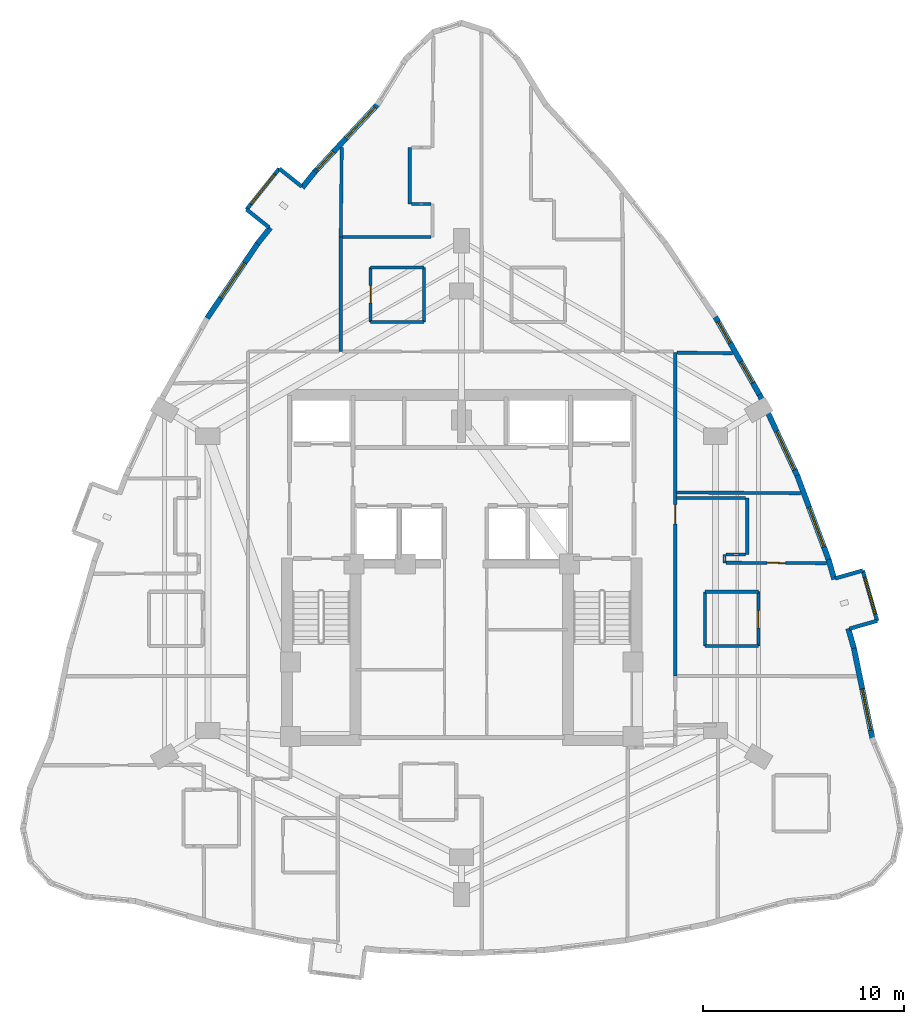
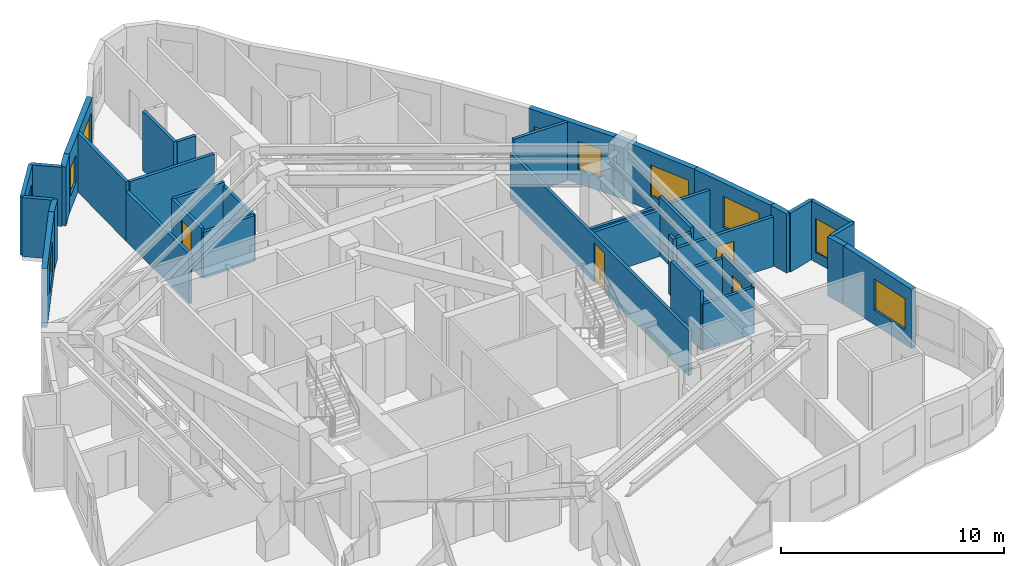
# One storey, part 12 of 14: 37 walls, 10 windows, 4 doors, 14 openings.
"""IFC4 building model written with IfcOpenShell, lengths in metres."""

from ifc_helpers import new_model, si_unit, direction, frame, frame_2d, origin, place, context, subcontext, project, spatial, rectangle, extrude, material, layer, layer_set, type_object, element, fill, save


model = new_model("IFC4")

# Units and contexts
model_context = context("Model", 3, precision=1e-05, world=origin(), true_north=direction((0.0, 1.0)))
body_context = subcontext(model_context, "Body", "Model", "MODEL_VIEW")
ifc_project = project(units=[si_unit("LENGTHUNIT", "METRE"), si_unit("AREAUNIT", "SQUARE_METRE"), si_unit("VOLUMEUNIT", "CUBIC_METRE"), si_unit("PLANEANGLEUNIT", "RADIAN"), si_unit("MASSUNIT", "GRAM", prefix="KILO")], contexts=[model_context])

# Site, building, storey
site_placement = place(None, origin())
site = spatial("IfcSite", under=ifc_project, at=site_placement, CompositionType="ELEMENT")
building_placement = place(site_placement, origin())
building = spatial("IfcBuilding", under=site, at=building_placement, Name="Miruveldt Soraemaru", CompositionType="ELEMENT")
storey_placement = place(building_placement, frame((0.0, 0.0, 128.39990234375)))
storey = spatial("IfcBuildingStorey", under=building, at=storey_placement, Name="L35", CompositionType="ELEMENT", Elevation=128.39990234375)

# Walls
ifc_material_1 = material(Name="White powder-coated aluminium EN AW-6060 T6", Category="aluminium")
ifc_layer_1 = layer(ifc_material_1, 0.18994140625, Name="White powder-coated aluminium EN AW-6060 T6", Category="aluminium")
ifc_layer_set_1 = layer_set([ifc_layer_1], Name="White powder-coated aluminium EN AW-6060 T6")
wall_type_1 = type_object("IfcWallType", Name="WALL-BAY-ALU190", PredefinedType="SOLIDWALL", material=ifc_layer_set_1)
for number, where, z_axis, x_axis, name in (
    (1, (36.060791015625, 62.7958984375, 0.0), (0.0, 0.0, 1.0), (-0.781737193764, 0.623608017817, 0.0), "L35 Bay Window Side Cheek 1L"),
    (2, (33.325439453125, 61.652099609375, 0.0), (0.0, 0.0, 1.0), (0.781737193764, -0.623608017817, 0.0), "L35 Bay Window Side Cheek 1R"),
):
    element("IfcWall", number, at=place(storey_placement, frame(where, z_axis=z_axis, x_axis=x_axis)), inside=storey, type_object=wall_type_1, Name=name, PredefinedType="SOLIDWALL", context=body_context, shape_type="SweptSolid", body=[
        extrude(rectangle(XDim=1.425048828125, YDim=0.18994140625, at=frame_2d((0.71240234375, 0.0))), origin(), (0.0, 0.0, 1.0), 3.235107421875),
    ])

# Wall, opening, window
wall_1_placement = place(storey_placement, frame((34.94677734375, 63.6845703125, 0.0), z_axis=(0.0, 0.0, 1.0), x_axis=(-0.623606546405, -0.781738367538, 0.0)))
wall_1 = element("IfcWall", 3, at=wall_1_placement, inside=storey, type_object=wall_type_1, Name="L35 Bay Window Front Frame 1", PredefinedType="SOLIDWALL", context=body_context, shape_type="SweptSolid", body=[
    extrude(rectangle(XDim=2.599853515625, YDim=0.18994140625, at=frame_2d((1.2998046875, 0.0))), origin(), (0.0, 0.0, 1.0), 3.235107421875),
])
opening_1_placement = place(wall_1_placement, frame((0.35009765625, 0.0, 0.550048828125)))
opening_1 = element("IfcOpeningElement", 4, at=opening_1_placement, cuts=wall_1, Name="Opening WN-6", PredefinedType="OPENING", context=body_context, shape_type="SweptSolid", body=[
    extrude(rectangle(XDim=1.89990234375, YDim=1.85009765625, at=frame_2d((0.949951171875, 0.925048828125))), frame((0.0, 0.10498046875, 0.0), z_axis=(0.0, -1.0, 0.0), x_axis=(1.0, 0.0, 0.0)), (0.0, 0.0, 1.0), 0.2099609375),
])
ifc_material_2 = material(Name="Triple low-e insulated glazing", Category="glass")
window_type_1 = type_object("IfcWindowType", Name="WIN-BAYW-1900x1850", PartitioningType="SINGLE_PANEL", PredefinedType="WINDOW", material=ifc_material_2)
window_1_placement = place(opening_1_placement, origin())
window_1 = element("IfcWindow", 5, at=window_1_placement, inside=storey, type_object=window_type_1, Name="L35 Projecting Bay Window 1", OverallHeight=1.85009765625, OverallWidth=1.89990234375, PartitioningType="SINGLE_PANEL", PredefinedType="WINDOW", context=body_context, shape_type="SweptSolid", body=[
    extrude(rectangle(XDim=1.89990234375, YDim=1.85009765625, at=frame_2d((0.949951171875, 0.925048828125))), frame((0.0, 0.030029296875, 0.0), z_axis=(0.0, -1.0, 0.0), x_axis=(1.0, 0.0, 0.0)), (0.0, 0.0, 1.0), 0.06005859375),
])
fill(opening_1, window_1)

# Walls
for number, where, z_axis, x_axis, name in (
    (6, (63.25537109375, 40.84375, 0.0), (0.0, 0.0, 1.0), (0.961452801096, 0.274970018845, 0.0), "L35 Bay Window Side Cheek 4L"),
    (7, (63.910400390625, 43.7353515625, 0.0), (0.0, 0.0, 1.0), (-0.961452801096, -0.274970018845, 0.0), "L35 Bay Window Side Cheek 4R"),
):
    element("IfcWall", number, at=place(storey_placement, frame(where, z_axis=z_axis, x_axis=x_axis)), inside=storey, type_object=wall_type_1, Name=name, PredefinedType="SOLIDWALL", context=body_context, shape_type="SweptSolid", body=[
        extrude(rectangle(XDim=1.425048828125, YDim=0.18994140625, at=frame_2d((0.71240234375, 0.0))), origin(), (0.0, 0.0, 1.0), 3.235107421875),
    ])

# Wall, opening, window
wall_2_placement = place(storey_placement, frame((64.62548828125, 41.235595703125, 0.0), z_axis=(0.0, 0.0, 1.0), x_axis=(-0.275031158597, 0.961435313373, 0.0)))
wall_2 = element("IfcWall", 8, at=wall_2_placement, inside=storey, type_object=wall_type_1, Name="L35 Bay Window Front Frame 4", PredefinedType="SOLIDWALL", context=body_context, shape_type="SweptSolid", body=[
    extrude(rectangle(XDim=2.60009765625, YDim=0.18994140625, at=frame_2d((1.300048828125, 0.0))), origin(), (0.0, 0.0, 1.0), 3.235107421875),
])
opening_2_placement = place(wall_2_placement, frame((0.35009765625, 0.0, 0.550048828125)))
opening_2 = element("IfcOpeningElement", 9, at=opening_2_placement, cuts=wall_2, Name="Opening WN-6", PredefinedType="OPENING", context=body_context, shape_type="SweptSolid", body=[
    extrude(rectangle(XDim=1.89990234375, YDim=1.85009765625, at=frame_2d((0.949951171875, 0.925048828125))), frame((0.0, 0.10498046875, 0.0), z_axis=(0.0, -1.0, 0.0), x_axis=(1.0, 0.0, 0.0)), (0.0, 0.0, 1.0), 0.2099609375),
])
window_2_placement = place(opening_2_placement, origin())
window_2 = element("IfcWindow", 10, at=window_2_placement, inside=storey, type_object=window_type_1, Name="L35 Projecting Bay Window 4", OverallHeight=1.85009765625, OverallWidth=1.89990234375, PartitioningType="SINGLE_PANEL", PredefinedType="WINDOW", context=body_context, shape_type="SweptSolid", body=[
    extrude(rectangle(XDim=1.89990234375, YDim=1.85009765625, at=frame_2d((0.949951171875, 0.925048828125))), frame((0.0, 0.030029296875, 0.0), z_axis=(0.0, -1.0, 0.0), x_axis=(1.0, 0.0, 0.0)), (0.0, 0.0, 1.0), 0.06005859375),
])
fill(opening_2, window_2)

# Wall, openings, windows
ifc_material_3 = material(Name="Precast concrete C45/55 (45 MPa)", Category="concrete")
ifc_layer_2 = layer(ifc_material_3, 0.27001953125, Name="Precast concrete C45/55 (45 MPa)", Category="concrete")
ifc_layer_set_2 = layer_set([ifc_layer_2], Name="Precast concrete C45/55 (45 MPa)")
wall_type_2 = type_object("IfcWallType", Name="WALL-EXT-PC270", PredefinedType="SOLIDWALL", material=ifc_layer_set_2)
wall_3_placement = place(storey_placement, frame((39.85302734375, 66.900390625, 0.0), z_axis=(0.0, 0.0, 1.0), x_axis=(-0.680890565033, -0.732385170828, 0.0)))
wall_3 = element("IfcWall", 11, at=wall_3_placement, inside=storey, type_object=wall_type_2, Name="L35 Precast Concrete Facade Wall 7", PredefinedType="SOLIDWALL", context=body_context, shape_type="SweptSolid", body=[
    extrude(rectangle(XDim=4.665283203125, YDim=0.27001953125, at=frame_2d((2.33251953125, 0.0))), origin(), (0.0, 0.0, 1.0), 3.235107421875),
])
opening_3_placement = place(wall_3_placement, frame((0.23388671875, 0.0, 0.800048828125)))
opening_3 = element("IfcOpeningElement", 12, at=opening_3_placement, cuts=wall_3, Name="Opening WN-1", PredefinedType="OPENING", context=body_context, shape_type="SweptSolid", body=[
    extrude(rectangle(XDim=2.10009765625, YDim=1.699951171875, at=frame_2d((1.050048828125, 0.85009765625))), frame((0.0, 0.14501953125, 0.0), z_axis=(0.0, -1.0, 0.0), x_axis=(1.0, 0.0, 0.0)), (0.0, 0.0, 1.0), 0.2900390625),
])
opening_4_placement = place(wall_3_placement, frame((3.257080078125, 0.0, 0.780029296875)))
opening_4 = element("IfcOpeningElement", 13, at=opening_4_placement, cuts=wall_3, Name="Opening WN-4", PredefinedType="OPENING", context=body_context, shape_type="SweptSolid", body=[
    extrude(rectangle(XDim=1.199951171875, YDim=1.550048828125, at=frame_2d((0.60009765625, 0.77490234375))), frame((0.0, 0.14501953125, 0.0), z_axis=(0.0, -1.0, 0.0), x_axis=(1.0, 0.0, 0.0)), (0.0, 0.0, 1.0), 0.2900390625),
])
window_type_2 = type_object("IfcWindowType", Name="WIN-PUNCH-1200x1550", PartitioningType="SINGLE_PANEL", PredefinedType="WINDOW", material=ifc_material_2)
window_3_placement = place(opening_4_placement, origin())
window_3 = element("IfcWindow", 14, at=window_3_placement, inside=storey, type_object=window_type_2, Name="L35 Punched Triple-Glazed Window 07.2", OverallHeight=1.550048828125, OverallWidth=1.199951171875, PartitioningType="SINGLE_PANEL", PredefinedType="WINDOW", context=body_context, shape_type="SweptSolid", body=[
    extrude(rectangle(XDim=1.199951171875, YDim=1.550048828125, at=frame_2d((0.60009765625, 0.77490234375))), frame((0.0, 0.030029296875, 0.0), z_axis=(0.0, -1.0, 0.0), x_axis=(1.0, 0.0, 0.0)), (0.0, 0.0, 1.0), 0.06005859375),
])
fill(opening_4, window_3)
window_type_3 = type_object("IfcWindowType", Name="WIN-PUNCH-2100x1700", PartitioningType="SINGLE_PANEL", PredefinedType="WINDOW", material=ifc_material_2)
window_4_placement = place(opening_3_placement, origin())
window_4 = element("IfcWindow", 15, at=window_4_placement, inside=storey, type_object=window_type_3, Name="L35 Punched Triple-Glazed Window 07.1", OverallHeight=1.699951171875, OverallWidth=2.10009765625, PartitioningType="SINGLE_PANEL", PredefinedType="WINDOW", context=body_context, shape_type="SweptSolid", body=[
    extrude(rectangle(XDim=2.10009765625, YDim=1.699951171875, at=frame_2d((1.050048828125, 0.85009765625))), frame((0.0, 0.030029296875, 0.0), z_axis=(0.0, -1.0, 0.0), x_axis=(1.0, 0.0, 0.0)), (0.0, 0.0, 1.0), 0.06005859375),
])
fill(opening_3, window_4)

# Walls
for number, where, z_axis, x_axis, name in (
    (16, (36.72216796875, 63.53662109375, 0.0), (0.0, 0.0, 1.0), (-0.623557666191, -0.78177735765, 0.0), "L35 Precast Pier Wall 8A"),
    (17, (34.501220703125, 60.752685546875, 0.0), (0.0, 0.0, 1.0), (-0.623557666191, -0.78177735765, 0.0), "L35 Precast Pier Wall 8B"),
):
    element("IfcWall", number, at=place(storey_placement, frame(where, z_axis=z_axis, x_axis=x_axis)), inside=storey, type_object=wall_type_2, Name=name, PredefinedType="SOLIDWALL", context=body_context, shape_type="SweptSolid", body=[
        extrude(rectangle(XDim=1.021484375, YDim=0.27001953125, at=frame_2d((0.5107421875, 0.0))), origin(), (0.0, 0.0, 1.0), 3.235107421875),
    ])

# Wall, opening, window
wall_4_placement = place(storey_placement, frame((33.905517578125, 60.010498046875, 0.0), z_axis=(0.0, 0.0, 1.0), x_axis=(-0.560820718135, -0.82793726943, 0.0)))
wall_4 = element("IfcWall", 18, at=wall_4_placement, inside=storey, type_object=wall_type_2, Name="L35 Precast Concrete Facade Wall 9", PredefinedType="SOLIDWALL", context=body_context, shape_type="SweptSolid", body=[
    extrude(rectangle(XDim=4.52685546875, YDim=0.27001953125, at=frame_2d((2.263427734375, 0.0))), origin(), (0.0, 0.0, 1.0), 3.235107421875),
])
opening_5_placement = place(wall_4_placement, frame((1.214111328125, 0.0, 0.800048828125)))
opening_5 = element("IfcOpeningElement", 19, at=opening_5_placement, cuts=wall_4, Name="Opening WN-1", PredefinedType="OPENING", context=body_context, shape_type="SweptSolid", body=[
    extrude(rectangle(XDim=2.10009765625, YDim=1.699951171875, at=frame_2d((1.050048828125, 0.85009765625))), frame((0.0, 0.14501953125, 0.0), z_axis=(0.0, -1.0, 0.0), x_axis=(1.0, 0.0, 0.0)), (0.0, 0.0, 1.0), 0.2900390625),
])
window_5_placement = place(opening_5_placement, origin())
window_5 = element("IfcWindow", 20, at=window_5_placement, inside=storey, type_object=window_type_3, Name="L35 Punched Triple-Glazed Window 09.1", OverallHeight=1.699951171875, OverallWidth=2.10009765625, PartitioningType="SINGLE_PANEL", PredefinedType="WINDOW", context=body_context, shape_type="SweptSolid", body=[
    extrude(rectangle(XDim=2.10009765625, YDim=1.699951171875, at=frame_2d((1.050048828125, 0.85009765625))), frame((0.0, 0.030029296875, 0.0), z_axis=(0.0, -1.0, 0.0), x_axis=(1.0, 0.0, 0.0)), (0.0, 0.0, 1.0), 0.06005859375),
])
fill(opening_5, window_5)

wall_5_placement = place(storey_placement, frame((64.398681640625, 35.37353515625, 0.0), z_axis=(0.0, 0.0, 1.0), x_axis=(-0.201567284441, 0.979474670343, 0.0)))
wall_5 = element("IfcWall", 21, at=wall_5_placement, inside=storey, type_object=wall_type_2, Name="L35 Precast Concrete Facade Wall 35", PredefinedType="SOLIDWALL", context=body_context, shape_type="SweptSolid", body=[
    extrude(rectangle(XDim=4.66552734375, YDim=0.27001953125, at=frame_2d((2.332763671875, 0.0))), origin(), (0.0, 0.0, 1.0), 3.235107421875),
])
opening_6_placement = place(wall_5_placement, frame((0.43505859375, 0.0, 0.800048828125)))
opening_6 = element("IfcOpeningElement", 22, at=opening_6_placement, cuts=wall_5, Name="Opening WN-1", PredefinedType="OPENING", context=body_context, shape_type="SweptSolid", body=[
    extrude(rectangle(XDim=2.10009765625, YDim=1.699951171875, at=frame_2d((1.050048828125, 0.85009765625))), frame((0.0, 0.14501953125, 0.0), z_axis=(0.0, -1.0, 0.0), x_axis=(1.0, 0.0, 0.0)), (0.0, 0.0, 1.0), 0.2900390625),
])
window_6_placement = place(opening_6_placement, origin())
window_6 = element("IfcWindow", 23, at=window_6_placement, inside=storey, type_object=window_type_3, Name="L35 Punched Triple-Glazed Window 35.1", OverallHeight=1.699951171875, OverallWidth=2.10009765625, PartitioningType="SINGLE_PANEL", PredefinedType="WINDOW", context=body_context, shape_type="SweptSolid", body=[
    extrude(rectangle(XDim=2.10009765625, YDim=1.699951171875, at=frame_2d((1.050048828125, 0.85009765625))), frame((0.0, 0.030029296875, 0.0), z_axis=(0.0, -1.0, 0.0), x_axis=(1.0, 0.0, 0.0)), (0.0, 0.0, 1.0), 0.06005859375),
])
fill(opening_6, window_6)

# Walls
wall_6_placement = place(storey_placement, frame((63.47509765625, 39.875244140625, 0.0), z_axis=(0.0, 0.0, 1.0), x_axis=(-0.275068310287, 0.961424684869, 0.0)))
element("IfcWall", 24, at=wall_6_placement, inside=storey, type_object=wall_type_2, Name="L35 Precast Pier Wall 36A", PredefinedType="SOLIDWALL", context=body_context, shape_type="SweptSolid", body=[
    extrude(rectangle(XDim=1.021484375, YDim=0.27001953125, at=frame_2d((0.5107421875, 0.0))), origin(), (0.0, 0.0, 1.0), 3.235107421875),
])
wall_7_placement = place(storey_placement, frame((62.49560546875, 43.299560546875, 0.0), z_axis=(0.0, 0.0, 1.0), x_axis=(-0.274910560524, 0.961469803849, 0.0)))
element("IfcWall", 25, at=wall_7_placement, inside=storey, type_object=wall_type_2, Name="L35 Precast Pier Wall 36B", PredefinedType="SOLIDWALL", context=body_context, shape_type="SweptSolid", body=[
    extrude(rectangle(XDim=1.021240234375, YDim=0.27001953125, at=frame_2d((0.5107421875, 0.0))), origin(), (0.0, 0.0, 1.0), 3.235107421875),
])

# Wall, opening, window
wall_8_placement = place(storey_placement, frame((62.23681640625, 44.215087890625, 0.0), z_axis=(0.0, 0.0, 1.0), x_axis=(-0.349071881832, 0.937095950965, 0.0)))
wall_8 = element("IfcWall", 26, at=wall_8_placement, inside=storey, type_object=wall_type_2, Name="L35 Precast Concrete Facade Wall 37", PredefinedType="SOLIDWALL", context=body_context, shape_type="SweptSolid", body=[
    extrude(rectangle(XDim=4.527099609375, YDim=0.27001953125, at=frame_2d((2.263671875, 0.0))), origin(), (0.0, 0.0, 1.0), 3.235107421875),
])
opening_7_placement = place(wall_8_placement, frame((0.736083984375, 0.0, 0.800048828125)))
opening_7 = element("IfcOpeningElement", 27, at=opening_7_placement, cuts=wall_8, Name="Opening WN-1", PredefinedType="OPENING", context=body_context, shape_type="SweptSolid", body=[
    extrude(rectangle(XDim=2.10009765625, YDim=1.699951171875, at=frame_2d((1.050048828125, 0.85009765625))), frame((0.0, 0.14501953125, 0.0), z_axis=(0.0, -1.0, 0.0), x_axis=(1.0, 0.0, 0.0)), (0.0, 0.0, 1.0), 0.2900390625),
])
window_7_placement = place(opening_7_placement, origin())
window_7 = element("IfcWindow", 28, at=window_7_placement, inside=storey, type_object=window_type_3, Name="L35 Punched Triple-Glazed Window 37.1", OverallHeight=1.699951171875, OverallWidth=2.10009765625, PartitioningType="SINGLE_PANEL", PredefinedType="WINDOW", context=body_context, shape_type="SweptSolid", body=[
    extrude(rectangle(XDim=2.10009765625, YDim=1.699951171875, at=frame_2d((1.050048828125, 0.85009765625))), frame((0.0, 0.030029296875, 0.0), z_axis=(0.0, -1.0, 0.0), x_axis=(1.0, 0.0, 0.0)), (0.0, 0.0, 1.0), 0.06005859375),
])
fill(opening_7, window_7)

wall_9_placement = place(storey_placement, frame((60.68359375, 48.392822265625, 0.0), z_axis=(0.0, 0.0, 1.0), x_axis=(-0.422317939259, 0.90644776914, 0.0)))
wall_9 = element("IfcWall", 29, at=wall_9_placement, inside=storey, type_object=wall_type_2, Name="L35 Precast Concrete Facade Wall 38", PredefinedType="SOLIDWALL", context=body_context, shape_type="SweptSolid", body=[
    extrude(rectangle(XDim=4.498779296875, YDim=0.27001953125, at=frame_2d((2.24951171875, 0.0))), origin(), (0.0, 0.0, 1.0), 3.235107421875),
])
opening_8_placement = place(wall_9_placement, frame((0.376953125, 0.0, 0.800048828125)))
opening_8 = element("IfcOpeningElement", 30, at=opening_8_placement, cuts=wall_9, Name="Opening WN-1", PredefinedType="OPENING", context=body_context, shape_type="SweptSolid", body=[
    extrude(rectangle(XDim=2.10009765625, YDim=1.699951171875, at=frame_2d((1.050048828125, 0.85009765625))), frame((0.0, 0.14501953125, 0.0), z_axis=(0.0, -1.0, 0.0), x_axis=(1.0, 0.0, 0.0)), (0.0, 0.0, 1.0), 0.2900390625),
])
window_8_placement = place(opening_8_placement, origin())
window_8 = element("IfcWindow", 31, at=window_8_placement, inside=storey, type_object=window_type_3, Name="L35 Punched Triple-Glazed Window 38.1", OverallHeight=1.699951171875, OverallWidth=2.10009765625, PartitioningType="SINGLE_PANEL", PredefinedType="WINDOW", context=body_context, shape_type="SweptSolid", body=[
    extrude(rectangle(XDim=2.10009765625, YDim=1.699951171875, at=frame_2d((1.050048828125, 0.85009765625))), frame((0.0, 0.030029296875, 0.0), z_axis=(0.0, -1.0, 0.0), x_axis=(1.0, 0.0, 0.0)), (0.0, 0.0, 1.0), 0.06005859375),
])
fill(opening_8, window_8)

# Wall, openings, windows
wall_10_placement = place(storey_placement, frame((58.81591796875, 52.40869140625, 0.0), z_axis=(0.0, 0.0, 1.0), x_axis=(-0.493401387578, 0.869801742201, 0.0)))
wall_10 = element("IfcWall", 32, at=wall_10_placement, inside=storey, type_object=wall_type_2, Name="L35 Precast Concrete Facade Wall 39", PredefinedType="SOLIDWALL", context=body_context, shape_type="SweptSolid", body=[
    extrude(rectangle(XDim=4.498779296875, YDim=0.27001953125, at=frame_2d((2.24951171875, 0.0))), origin(), (0.0, 0.0, 1.0), 3.235107421875),
])
opening_9_placement = place(wall_10_placement, frame((0.73291015625, 0.0, 0.780029296875)))
opening_9 = element("IfcOpeningElement", 33, at=opening_9_placement, cuts=wall_10, Name="Opening WN-4", PredefinedType="OPENING", context=body_context, shape_type="SweptSolid", body=[
    extrude(rectangle(XDim=1.199951171875, YDim=1.550048828125, at=frame_2d((0.60009765625, 0.77490234375))), frame((0.0, 0.14501953125, 0.0), z_axis=(0.0, -1.0, 0.0), x_axis=(1.0, 0.0, 0.0)), (0.0, 0.0, 1.0), 0.2900390625),
])
opening_10_placement = place(wall_10_placement, frame((3.02490234375, 0.0, 0.780029296875)))
opening_10 = element("IfcOpeningElement", 34, at=opening_10_placement, cuts=wall_10, Name="Opening WN-4", PredefinedType="OPENING", context=body_context, shape_type="SweptSolid", body=[
    extrude(rectangle(XDim=1.199951171875, YDim=1.550048828125, at=frame_2d((0.60009765625, 0.77490234375))), frame((0.0, 0.14501953125, 0.0), z_axis=(0.0, -1.0, 0.0), x_axis=(1.0, 0.0, 0.0)), (0.0, 0.0, 1.0), 0.2900390625),
])
window_9_placement = place(opening_9_placement, origin())
window_9 = element("IfcWindow", 35, at=window_9_placement, inside=storey, type_object=window_type_2, Name="L35 Punched Triple-Glazed Window 39.1", OverallHeight=1.550048828125, OverallWidth=1.199951171875, PartitioningType="SINGLE_PANEL", PredefinedType="WINDOW", context=body_context, shape_type="SweptSolid", body=[
    extrude(rectangle(XDim=1.199951171875, YDim=1.550048828125, at=frame_2d((0.60009765625, 0.77490234375))), frame((0.0, 0.030029296875, 0.0), z_axis=(0.0, -1.0, 0.0), x_axis=(1.0, 0.0, 0.0)), (0.0, 0.0, 1.0), 0.06005859375),
])
fill(opening_9, window_9)
window_10_placement = place(opening_10_placement, origin())
window_10 = element("IfcWindow", 36, at=window_10_placement, inside=storey, type_object=window_type_2, Name="L35 Punched Triple-Glazed Window 39.2", OverallHeight=1.550048828125, OverallWidth=1.199951171875, PartitioningType="SINGLE_PANEL", PredefinedType="WINDOW", context=body_context, shape_type="SweptSolid", body=[
    extrude(rectangle(XDim=1.199951171875, YDim=1.550048828125, at=frame_2d((0.60009765625, 0.77490234375))), frame((0.0, 0.030029296875, 0.0), z_axis=(0.0, -1.0, 0.0), x_axis=(1.0, 0.0, 0.0)), (0.0, 0.0, 1.0), 0.06005859375),
])
fill(opening_10, window_10)

# Wall, opening, door
ifc_material_4 = material(Name="Gypsum plasterboard lining", Category="gypsum")
ifc_layer_3 = layer(ifc_material_4, 0.14990234375, Name="Gypsum plasterboard lining", Category="gypsum")
ifc_layer_set_3 = layer_set([ifc_layer_3], Name="Gypsum plasterboard lining")
wall_type_3 = type_object("IfcWallType", Name="WALL-INT-PLUMB", PredefinedType="PLUMBINGWALL", material=ifc_layer_set_3)
wall_11_placement = place(storey_placement, frame((39.47998046875, 58.780029296875, 0.0), z_axis=(0.0, 0.0, 1.0), x_axis=(0.0, -1.0, 0.0)))
wall_11 = element("IfcWall", 37, at=wall_11_placement, inside=storey, type_object=wall_type_3, Name="L35 Partition Wall 19", PredefinedType="PLUMBINGWALL", context=body_context, shape_type="SweptSolid", body=[
    extrude(rectangle(XDim=2.699951171875, YDim=0.14990234375, at=frame_2d((1.35009765625, 0.0))), origin(), (0.0, 0.0, 1.0), 2.72314453125),
])
opening_11_placement = place(wall_11_placement, frame((0.909912109375, 0.0, 0.0)))
opening_11 = element("IfcOpeningElement", 38, at=opening_11_placement, cuts=wall_11, Name="Opening FD3", PredefinedType="OPENING", context=body_context, shape_type="SweptSolid", body=[
    extrude(rectangle(XDim=0.85009765625, YDim=2.10009765625, at=frame_2d((0.425048828125, 1.050048828125))), frame((0.0, 0.0849609375, 0.0), z_axis=(0.0, -1.0, 0.0), x_axis=(1.0, 0.0, 0.0)), (0.0, 0.0, 1.0), 0.169921875),
])
ifc_material_5 = material(Name="Anodised aluminium EN AW-6063 T6", Category="aluminium")
door_type_1 = type_object("IfcDoorType", Name="DOOR-FD3-850", OperationType="NOTDEFINED", PredefinedType="DOOR", material=ifc_material_5)
door_1_placement = place(opening_11_placement, origin())
door_1 = element("IfcDoor", 39, at=door_1_placement, inside=storey, type_object=door_type_1, Name="L35 Unit 3502 BTH Door", OperationType="SINGLE_SWING_LEFT", OverallHeight=2.10009765625, OverallWidth=0.85009765625, PredefinedType="DOOR", context=body_context, shape_type="SweptSolid", body=[
    extrude(rectangle(XDim=0.85009765625, YDim=2.10009765625, at=frame_2d((0.425048828125, 1.050048828125))), frame((0.0, 0.02490234375, 0.0), z_axis=(0.0, -1.0, 0.0), x_axis=(1.0, 0.0, 0.0)), (0.0, 0.0, 1.0), 0.050048828125),
])
fill(opening_11, door_1)

wall_12_placement = place(storey_placement, frame((58.72998046875, 39.97998046875, 0.0), z_axis=(0.0, 0.0, 1.0), x_axis=(0.0, 1.0, 0.0)))
wall_12 = element("IfcWall", 40, at=wall_12_placement, inside=storey, type_object=wall_type_3, Name="L35 Partition Wall 50", PredefinedType="PLUMBINGWALL", context=body_context, shape_type="SweptSolid", body=[
    extrude(rectangle(XDim=2.699951171875, YDim=0.14990234375, at=frame_2d((1.35009765625, 0.0))), origin(), (0.0, 0.0, 1.0), 2.72314453125),
])
opening_12_placement = place(wall_12_placement, frame((0.909912109375, 0.0, 0.0)))
opening_12 = element("IfcOpeningElement", 41, at=opening_12_placement, cuts=wall_12, Name="Opening FD3", PredefinedType="OPENING", context=body_context, shape_type="SweptSolid", body=[
    extrude(rectangle(XDim=0.85009765625, YDim=2.10009765625, at=frame_2d((0.425048828125, 1.050048828125))), frame((0.0, 0.0849609375, 0.0), z_axis=(0.0, -1.0, 0.0), x_axis=(1.0, 0.0, 0.0)), (0.0, 0.0, 1.0), 0.169921875),
])
door_2_placement = place(opening_12_placement, origin())
door_2 = element("IfcDoor", 42, at=door_2_placement, inside=storey, type_object=door_type_1, Name="L35 Unit 3506 BTH Door", OperationType="SINGLE_SWING_LEFT", OverallHeight=2.10009765625, OverallWidth=0.85009765625, PredefinedType="DOOR", context=body_context, shape_type="SweptSolid", body=[
    extrude(rectangle(XDim=0.85009765625, YDim=2.10009765625, at=frame_2d((0.425048828125, 1.050048828125))), frame((0.0, 0.02490234375, 0.0), z_axis=(0.0, -1.0, 0.0), x_axis=(1.0, 0.0, 0.0)), (0.0, 0.0, 1.0), 0.050048828125),
])
fill(opening_12, door_2)

# Walls
wall_13_placement = place(storey_placement, frame((42.1298828125, 56.080078125, 0.0), z_axis=(0.0, 0.0, 1.0), x_axis=(0.0, 1.0, 0.0)))
element("IfcWall", 43, at=wall_13_placement, inside=storey, type_object=wall_type_3, Name="L35 Partition Wall 17", PredefinedType="PLUMBINGWALL", context=body_context, shape_type="SweptSolid", body=[
    extrude(rectangle(XDim=2.699951171875, YDim=0.14990234375, at=frame_2d((1.35009765625, 0.0))), origin(), (0.0, 0.0, 1.0), 2.523193359375),
])
wall_14_placement = place(storey_placement, frame((56.080078125, 42.679931640625, 0.0), z_axis=(0.0, 0.0, 1.0), x_axis=(0.0, -1.0, 0.0)))
element("IfcWall", 44, at=wall_14_placement, inside=storey, type_object=wall_type_3, Name="L35 Partition Wall 52", PredefinedType="PLUMBINGWALL", context=body_context, shape_type="SweptSolid", body=[
    extrude(rectangle(XDim=2.699951171875, YDim=0.14990234375, at=frame_2d((1.35009765625, 0.0))), origin(), (0.0, 0.0, 1.0), 3.235107421875),
])
wall_15_placement = place(storey_placement, frame((42.1298828125, 58.780029296875, 0.0), z_axis=(0.0, 0.0, 1.0), x_axis=(-1.0, 0.0, 0.0)))
element("IfcWall", 45, at=wall_15_placement, inside=storey, type_object=wall_type_3, Name="L35 Partition Wall 18", PredefinedType="PLUMBINGWALL", context=body_context, shape_type="SweptSolid", body=[
    extrude(rectangle(XDim=2.64990234375, YDim=0.14990234375, at=frame_2d((1.324951171875, 0.0))), origin(), (0.0, 0.0, 1.0), 2.72314453125),
])
for number, where, z_axis, x_axis, name in (
    (46, (39.47998046875, 56.080078125, 0.0), (0.0, 0.0, 1.0), (1.0, 0.0, 0.0), "L35 Partition Wall 20"),
    (47, (58.72998046875, 42.679931640625, 0.0), (0.0, 0.0, 1.0), (-1.0, 0.0, 0.0), "L35 Partition Wall 51"),
    (48, (56.080078125, 39.97998046875, 0.0), (0.0, 0.0, 1.0), (1.0, 0.0, 0.0), "L35 Partition Wall 53"),
):
    element("IfcWall", number, at=place(storey_placement, frame(where, z_axis=z_axis, x_axis=x_axis)), inside=storey, type_object=wall_type_3, Name=name, PredefinedType="PLUMBINGWALL", context=body_context, shape_type="SweptSolid", body=[
        extrude(rectangle(XDim=2.64990234375, YDim=0.14990234375, at=frame_2d((1.324951171875, 0.0))), origin(), (0.0, 0.0, 1.0), 2.523193359375),
    ])

# Wall, opening, door
ifc_material_6 = material(Name="Concrete C40/50 (40 MPa)", Category="concrete")
ifc_layer_4 = layer(ifc_material_6, 0.159912109375, Name="Concrete C40/50 (40 MPa)", Category="concrete")
ifc_layer_set_4 = layer_set([ifc_layer_4], Name="Concrete C40/50 (40 MPa)")
wall_type_4 = type_object("IfcWallType", Name="WALL-INT-RC160", PredefinedType="SOLIDWALL", material=ifc_layer_set_4)
wall_16_placement = place(storey_placement, frame((54.60009765625, 38.506103515625, 0.0), z_axis=(0.0, 0.0, 1.0), x_axis=(0.0, 1.0, 0.0)))
wall_16 = element("IfcWall", 49, at=wall_16_placement, inside=storey, type_object=wall_type_4, Name="L35 Partition Wall 7", PredefinedType="SOLIDWALL", context=body_context, shape_type="SweptSolid", body=[
    extrude(rectangle(XDim=16.037841796875, YDim=0.159912109375, at=frame_2d((8.01904296875, 0.0))), origin(), (0.0, 0.0, 1.0), 2.523193359375),
])
opening_13_placement = place(wall_16_placement, frame((7.5439453125, 0.0, 0.0)))
opening_13 = element("IfcOpeningElement", 50, at=opening_13_placement, cuts=wall_16, Name="Opening FD2", PredefinedType="OPENING", context=body_context, shape_type="SweptSolid", body=[
    extrude(rectangle(XDim=0.949951171875, YDim=2.14990234375, at=frame_2d((0.47509765625, 1.074951171875))), frame((0.0, 0.08984375, 0.0), z_axis=(0.0, -1.0, 0.0), x_axis=(1.0, 0.0, 0.0)), (0.0, 0.0, 1.0), 0.179931640625),
])
door_type_2 = type_object("IfcDoorType", Name="DOOR-FD2-950", OperationType="NOTDEFINED", PredefinedType="DOOR", material=ifc_material_5)
door_3_placement = place(opening_13_placement, origin())
door_3 = element("IfcDoor", 51, at=door_3_placement, inside=storey, type_object=door_type_2, Name="L35 Unit 3506 Entrance Fire Door", OperationType="SINGLE_SWING_RIGHT", OverallHeight=2.14990234375, OverallWidth=0.949951171875, PredefinedType="DOOR", context=body_context, shape_type="SweptSolid", body=[
    extrude(rectangle(XDim=0.949951171875, YDim=2.14990234375, at=frame_2d((0.47509765625, 1.074951171875))), frame((0.0, 0.02490234375, 0.0), z_axis=(0.0, -1.0, 0.0), x_axis=(1.0, 0.0, 0.0)), (0.0, 0.0, 1.0), 0.050048828125),
])
fill(opening_13, door_3)

wall_17_placement = place(storey_placement, frame((62.111083984375, 44.097900390625, 0.0), z_axis=(0.0, 0.0, 1.0), x_axis=(-0.999992692541, 0.003822939275, 0.0)))
wall_17 = element("IfcWall", 52, at=wall_17_placement, inside=storey, type_object=wall_type_4, Name="L35 Partition Wall 54", PredefinedType="SOLIDWALL", context=body_context, shape_type="SweptSolid", body=[
    extrude(rectangle(XDim=4.981201171875, YDim=0.159912109375, at=frame_2d((2.49072265625, 0.0))), origin(), (0.0, 0.0, 1.0), 2.72314453125),
])
opening_14_placement = place(wall_17_placement, frame((2.031005859375, 0.0, 0.0)))
opening_14 = element("IfcOpeningElement", 53, at=opening_14_placement, cuts=wall_17, Name="Opening D3A", PredefinedType="OPENING", context=body_context, shape_type="SweptSolid", body=[
    extrude(rectangle(XDim=0.919921875, YDim=2.10009765625, at=frame_2d((0.4599609375, 1.050048828125))), frame((0.0, 0.08984375, 0.0), z_axis=(0.0, -1.0, 0.0), x_axis=(1.0, 0.0, 0.0)), (0.0, 0.0, 1.0), 0.179931640625),
])
door_type_3 = type_object("IfcDoorType", Name="DOOR-INT-920", OperationType="NOTDEFINED", PredefinedType="DOOR", material=ifc_material_5)
door_4_placement = place(opening_14_placement, origin())
door_4 = element("IfcDoor", 54, at=door_4_placement, inside=storey, type_object=door_type_3, Name="L35 Unit 3506 BD1 Door", OperationType="SINGLE_SWING_RIGHT", OverallHeight=2.10009765625, OverallWidth=0.919921875, PredefinedType="DOOR", context=body_context, shape_type="SweptSolid", body=[
    extrude(rectangle(XDim=0.919921875, YDim=2.10009765625, at=frame_2d((0.4599609375, 1.050048828125))), frame((0.0, 0.02490234375, 0.0), z_axis=(0.0, -1.0, 0.0), x_axis=(1.0, 0.0, 0.0)), (0.0, 0.0, 1.0), 0.050048828125),
])
fill(opening_14, door_4)

# Walls
wall_18_placement = place(storey_placement, frame((54.6650390625, 47.609375, 0.0), z_axis=(0.0, 0.0, 1.0), x_axis=(0.999980653054, -0.006220411368, 0.0)))
element("IfcWall", 55, at=wall_18_placement, inside=storey, type_object=wall_type_4, Name="L35 Partition Wall 58", PredefinedType="SOLIDWALL", context=body_context, shape_type="SweptSolid", body=[
    extrude(rectangle(XDim=6.161865234375, YDim=0.159912109375, at=frame_2d((3.0810546875, 0.0))), origin(), (0.0, 0.0, 1.0), 2.523193359375),
])
wall_19_placement = place(storey_placement, frame((38.0, 54.60302734375, 0.0), z_axis=(0.0, 0.0, 1.0), x_axis=(0.0, 1.0, 0.0)))
element("IfcWall", 56, at=wall_19_placement, inside=storey, type_object=wall_type_4, Name="L35 Partition Wall 14", PredefinedType="SOLIDWALL", context=body_context, shape_type="SweptSolid", body=[
    extrude(rectangle(XDim=5.677001953125, YDim=0.159912109375, at=frame_2d((2.83837890625, 0.0))), origin(), (0.0, 0.0, 1.0), 2.72314453125),
])
wall_20_placement = place(storey_placement, frame((38.0, 60.282958984375, 0.0), z_axis=(0.0, 0.0, 1.0), x_axis=(0.011442527224, 0.999934532142, 0.0)))
element("IfcWall", 57, at=wall_20_placement, inside=storey, type_object=wall_type_4, Name="L35 Partition Wall 15", PredefinedType="SOLIDWALL", context=body_context, shape_type="SweptSolid", body=[
    extrude(rectangle(XDim=4.459228515625, YDim=0.159912109375, at=frame_2d((2.2294921875, 0.0))), origin(), (0.0, 0.0, 1.0), 3.235107421875),
])
wall_21_placement = place(storey_placement, frame((42.469970703125, 60.282958984375, 0.0), z_axis=(0.0, 0.0, 1.0), x_axis=(-1.0, 0.0, 0.0)))
element("IfcWall", 58, at=wall_21_placement, inside=storey, type_object=wall_type_4, Name="L35 Partition Wall 26", PredefinedType="SOLIDWALL", context=body_context, shape_type="SweptSolid", body=[
    extrude(rectangle(XDim=4.389892578125, YDim=0.159912109375, at=frame_2d((2.19482421875, 0.0))), origin(), (0.0, 0.0, 1.0), 3.235107421875),
])
wall_22_placement = place(storey_placement, frame((58.10009765625, 47.330078125, 0.0), z_axis=(0.0, 0.0, 1.0), x_axis=(-1.0, 0.0, 0.0)))
element("IfcWall", 59, at=wall_22_placement, inside=storey, type_object=wall_type_4, Name="L35 Partition Wall 57", PredefinedType="SOLIDWALL", context=body_context, shape_type="SweptSolid", body=[
    extrude(rectangle(XDim=3.43505859375, YDim=0.159912109375, at=frame_2d((1.717529296875, 0.0))), origin(), (0.0, 0.0, 1.0), 2.523193359375),
])
for number, where, z_axis, x_axis, name in (
    (60, (41.429931640625, 64.72998046875, 0.0), (0.0, 0.0, 1.0), (0.0, -1.0, 0.0), "L35 Partition Wall 23"),
    (61, (58.179931640625, 44.530029296875, 0.0), (0.0, 0.0, 1.0), (0.0, 1.0, 0.0), "L35 Partition Wall 56"),
):
    element("IfcWall", number, at=place(storey_placement, frame(where, z_axis=z_axis, x_axis=x_axis)), inside=storey, type_object=wall_type_4, Name=name, PredefinedType="SOLIDWALL", context=body_context, shape_type="SweptSolid", body=[
        extrude(rectangle(XDim=2.800048828125, YDim=0.159912109375, at=frame_2d((1.39990234375, 0.0))), origin(), (0.0, 0.0, 1.0), 3.235107421875),
    ])
wall_23_placement = place(storey_placement, frame((54.68603515625, 54.549072265625, 0.0), z_axis=(0.0, 0.0, 1.0), x_axis=(0.999936949583, -0.011229285754, 0.0)))
element("IfcWall", 62, at=wall_23_placement, inside=storey, type_object=wall_type_4, Name="L35 Partition Wall 37", PredefinedType="SOLIDWALL", context=body_context, shape_type="SweptSolid", body=[
    extrude(rectangle(XDim=2.76123046875, YDim=0.159912109375, at=frame_2d((1.380615234375, 0.0))), origin(), (0.0, 0.0, 1.0), 3.235107421875),
])
wall_24_placement = place(storey_placement, frame((57.1298828125, 44.530029296875, 0.0), z_axis=(0.0, 0.0, 1.0), x_axis=(1.0, 0.0, 0.0)))
element("IfcWall", 63, at=wall_24_placement, inside=storey, type_object=wall_type_4, Name="L35 Partition Wall 55", PredefinedType="SOLIDWALL", context=body_context, shape_type="SweptSolid", body=[
    extrude(rectangle(XDim=0.97021484375, YDim=0.159912109375, at=frame_2d((0.485107421875, 0.0))), origin(), (0.0, 0.0, 1.0), 2.97314453125),
])
wall_25_placement = place(storey_placement, frame((41.510009765625, 61.929931640625, 0.0), z_axis=(0.0, 0.0, 1.0), x_axis=(1.0, 0.0, 0.0)))
element("IfcWall", 64, at=wall_25_placement, inside=storey, type_object=wall_type_4, Name="L35 Partition Wall 24", PredefinedType="SOLIDWALL", context=body_context, shape_type="SweptSolid", body=[
    extrude(rectangle(XDim=0.9599609375, YDim=0.159912109375, at=frame_2d((0.47998046875, 0.0))), origin(), (0.0, 0.0, 1.0), 3.235107421875),
])
wall_26_placement = place(storey_placement, frame((57.050048828125, 44.116943359375, 0.0), z_axis=(0.0, 0.0, 1.0), x_axis=(0.0, 1.0, 0.0)))
element("IfcWall", 65, at=wall_26_placement, inside=storey, type_object=wall_type_4, Name="L35 Partition Wall 88", PredefinedType="SOLIDWALL", context=body_context, shape_type="SweptSolid", body=[
    extrude(rectangle(XDim=0.4130859375, YDim=0.159912109375, at=frame_2d((0.20654296875, 0.0))), origin(), (0.0, 0.0, 1.0), 3.235107421875),
])

save(model, "model.ifc")
